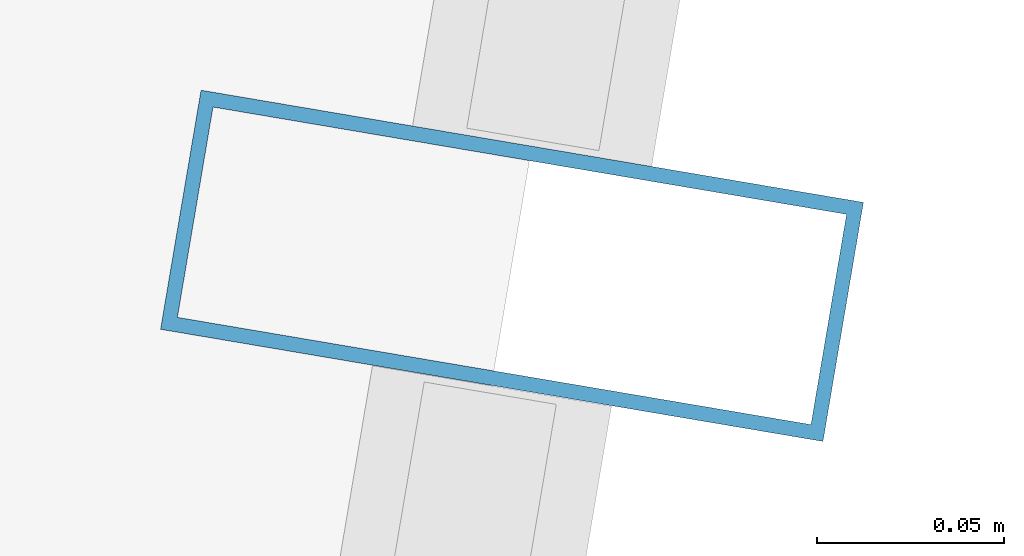
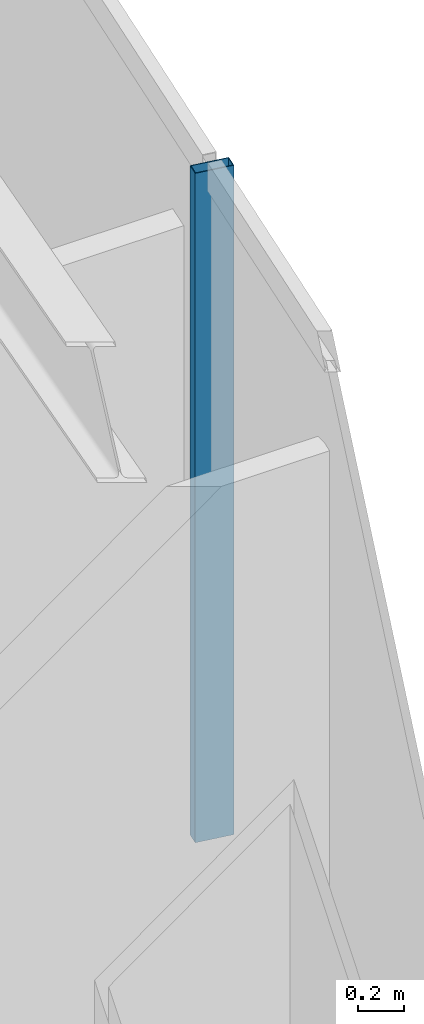
# One storey, part 20 of 36: 1 member, 1 element without a shape of its own.
"""IFC4 building model written with IfcOpenShell, lengths in metres."""

from ifc_helpers import new_model, si_unit, direction, frame, origin, origin_2d, place, context, subcontext, project, spatial, hollow_rectangle, extrude, material, material_profile, profile_set, type_object, element, aggregate, save


model = new_model("IFC4")

# Units and contexts
model_context = context("Model", 3, precision=1e-05, world=origin(), true_north=direction((0.0, 1.0)))
body_context = subcontext(model_context, "Body", "Model", "MODEL_VIEW")
ifc_project = project(units=[si_unit("LENGTHUNIT", "METRE"), si_unit("AREAUNIT", "SQUARE_METRE"), si_unit("VOLUMEUNIT", "CUBIC_METRE"), si_unit("PLANEANGLEUNIT", "RADIAN"), si_unit("MASSUNIT", "GRAM", prefix="KILO")], contexts=[model_context])

# Site, building, storey
site_placement = place(None, origin())
site = spatial("IfcSite", under=ifc_project, at=site_placement, CompositionType="ELEMENT")
building_placement = place(site_placement, origin())
building = spatial("IfcBuilding", under=site, at=building_placement, Name="Saevonmaru Cultural Tower", CompositionType="ELEMENT")
storey_placement = place(building_placement, frame((0.0, 0.0, 171.39990234375)))
storey = spatial("IfcBuildingStorey", under=building, at=storey_placement, Name="L38", CompositionType="ELEMENT", Elevation=171.39990234375)

# Curtain wall, member
ifc_material = material(Name="Satin Bronze Anodised Aluminium", Category="aluminium")
curtain_wall_type = type_object("IfcCurtainWallType", Name="CW-TYP-A", PredefinedType="NOTDEFINED", material=ifc_material)
curtain_wall_placement = place(storey_placement, origin())
curtain_wall = element("IfcCurtainWall", 1, at=curtain_wall_placement, inside=storey, type_object=curtain_wall_type, Name="L38 Unitised Curtain Wall E8", PredefinedType="NOTDEFINED")
ifc_material_profile = material_profile(ifc_material, hollow_rectangle(XDim=0.06494140625, YDim=0.179931640625, WallThickness=0.00390625, at=origin_2d()), Name="ALU-MULL-180x65x4")
ifc_profile_set = profile_set([ifc_material_profile], Name="Satin Bronze Anodised Aluminium")
member_type = type_object("IfcMemberType", Name="ML-CW-180x65", PredefinedType="MULLION", material=ifc_profile_set)
member_placement = place(storey_placement, frame((53.8974609375, 40.38037109375, 0.0), z_axis=(0.0, 0.0, 1.0), x_axis=(0.16692169721, 0.985970155228, 0.0)))
member = element("IfcMember", 2, at=member_placement, type_object=member_type, Name="CW-TW-L38-E8 mullion 3", PredefinedType="MULLION", context=body_context, shape_type="SweptSolid", body=[
    extrude(hollow_rectangle(XDim=0.06494140625, YDim=0.179931640625, WallThickness=0.00390625, at=origin_2d()), origin(), (0.0, 0.0, 1.0), 3.550048828125),
])
aggregate(curtain_wall, [member])

save(model, "model.ifc")
